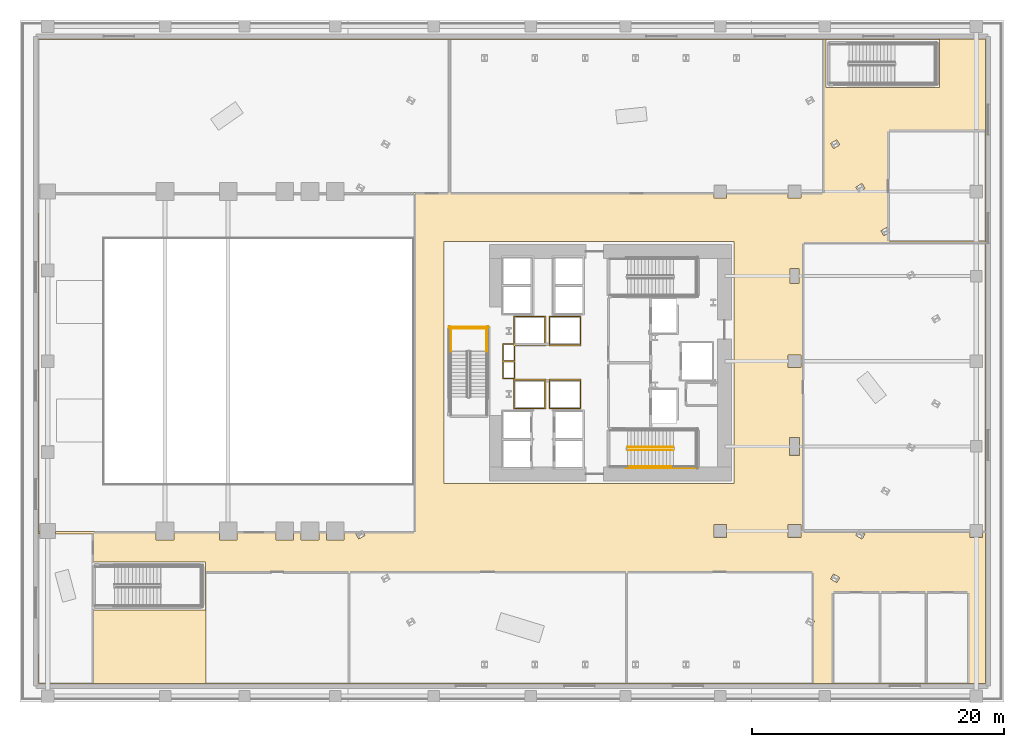
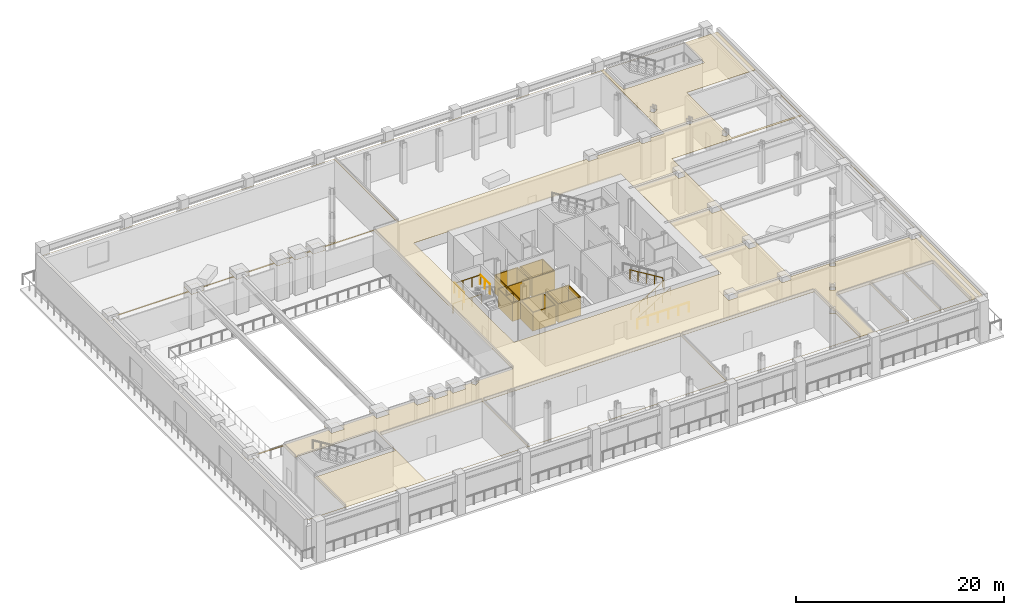
# One storey, part 13 of 19: 8 railings, 5 coverings.
"""IFC4 building model written with IfcOpenShell, lengths in metres."""

from ifc_helpers import new_model, si_unit, direction, frame, origin, origin_2d, place, context, subcontext, project, spatial, polyline, circle, outline, extrude, material, layer, layer_set, type_object, element, save


model = new_model("IFC4")

# Units and contexts
model_context = context("Model", 3, precision=1e-05, world=origin(), true_north=direction((0.0, 1.0)))
body_context = subcontext(model_context, "Body", "Model", "MODEL_VIEW")
ifc_project = project(units=[si_unit("LENGTHUNIT", "METRE"), si_unit("AREAUNIT", "SQUARE_METRE"), si_unit("VOLUMEUNIT", "CUBIC_METRE"), si_unit("PLANEANGLEUNIT", "RADIAN"), si_unit("MASSUNIT", "GRAM", prefix="KILO")], contexts=[model_context])

# Site, building, storey
site_placement = place(None, origin())
site = spatial("IfcSite", under=ifc_project, at=site_placement, CompositionType="ELEMENT")
building_placement = place(site_placement, origin())
building = spatial("IfcBuilding", under=site, at=building_placement, Name="Valkerne Bourse Tower", CompositionType="ELEMENT")
storey_placement = place(building_placement, frame((0.0, 0.0, 5.39990234375)))
storey = spatial("IfcBuildingStorey", under=building, at=storey_placement, Name="L01", CompositionType="ELEMENT", Elevation=5.39990234375)

# Coverings
ifc_material_1 = material(Name="Bronze Anodised Aluminium AA 6063-T6", Category="aluminium")
ifc_layer_1 = layer(ifc_material_1, 0.030029296875)
ifc_layer_set_1 = layer_set([ifc_layer_1], Name="Bronze Anodised Aluminium AA 6063-T6")
covering_type_1 = type_object("IfcCoveringType", Name="COV-CEIL-METAL", PredefinedType="CEILING", material=ifc_layer_set_1)
covering_1_placement = place(storey_placement, frame((0.0, 0.0, 4.210205078125)))
element("IfcCovering", 1, at=covering_1_placement, inside=storey, type_object=covering_type_1, Name="L01 Suspended Ceiling 13", PredefinedType="CEILING", context=body_context, shape_type="SweptSolid", body=[
    extrude(outline(polyline([(76.5458984375, 1.4541015625), (1.4541015625, 1.4541015625), (1.4541015625, 52.5458984375), (76.5458984375, 52.5458984375), (76.5458984375, 1.4541015625)]), holes=[polyline([(62.148681640625, 13.535888671875), (66.423583984375, 13.535888671875), (66.468017578125, 13.6015625), (66.481201171875, 13.607421875), (66.614013671875, 13.535888671875), (75.271728515625, 13.535888671875), (75.283935546875, 13.54833984375), (75.283935546875, 14.046142578125), (75.293701171875, 14.0625), (76.297119140625, 14.06591796875), (76.310791015625, 14.060302734375), (76.31591796875, 14.0498046875), (76.31689453125, 13.5439453125), (76.328857421875, 13.535888671875), (76.51220703125, 13.54052734375), (76.509521484375, 36.312255859375), (62.1376953125, 36.3095703125), (62.13623046875, 13.546142578125), (62.148681640625, 13.535888671875)]), polyline([(68.885986328125, 37.4140625), (68.98583984375, 37.231689453125), (68.978515625, 37.216552734375), (68.885986328125, 37.158203125), (68.88818359375, 36.539794921875), (76.51025390625, 36.538330078125), (76.51171875, 45.210205078125), (68.890380859375, 45.21240234375), (68.885986328125, 37.4140625)]), polyline([(71.896728515625, 1.493896484375), (71.90869140625, 1.486083984375), (75.10595703125, 1.48681640625), (75.114013671875, 1.498779296875), (75.11328125, 8.60595703125), (75.101318359375, 8.614013671875), (71.908203125, 8.614013671875), (71.89599609375, 8.601806640625), (71.896728515625, 1.493896484375)]), polyline([(68.247314453125, 1.492919921875), (68.2587890625, 1.486083984375), (71.757080078125, 1.4873046875), (71.763916015625, 1.498779296875), (71.7626953125, 8.60693359375), (71.751220703125, 8.614013671875), (68.2587890625, 8.614013671875), (68.246826171875, 8.60595703125), (68.247314453125, 1.492919921875)]), polyline([(64.4873046875, 1.492919921875), (64.498779296875, 1.486083984375), (68.10693359375, 1.4873046875), (68.114013671875, 1.498779296875), (68.11279296875, 8.60693359375), (68.10107421875, 8.614013671875), (64.498779296875, 8.614013671875), (64.4873046875, 8.60693359375), (64.4873046875, 1.492919921875)]), polyline([(54.9716796875, 40.365966796875), (54.98388671875, 40.37841796875), (54.98388671875, 40.946044921875), (54.993896484375, 40.96240234375), (55.99755859375, 40.966064453125), (56.00927734375, 40.9619140625), (56.015869140625, 40.949462890625), (56.01611328125, 40.37841796875), (56.027099609375, 40.365966796875), (60.87158203125, 40.365966796875), (60.884033203125, 40.37841796875), (60.884033203125, 40.946044921875), (60.893798828125, 40.96240234375), (61.897705078125, 40.966064453125), (61.9091796875, 40.9619140625), (61.916015625, 40.949462890625), (61.916015625, 40.378662109375), (61.925048828125, 40.366455078125), (63.60595703125, 40.36669921875), (63.614013671875, 40.37890625), (63.61328125, 52.506103515625), (63.601318359375, 52.513916015625), (34.14404296875, 52.51318359375), (34.135986328125, 52.501220703125), (34.140380859375, 40.36767578125), (54.9716796875, 40.365966796875)]), polyline([(62.806884765625, 1.4873046875), (62.81396484375, 1.498779296875), (62.81396484375, 6.02294921875), (62.79248046875, 6.03271484375), (62.76123046875, 5.982421875), (62.74169921875, 5.9794921875), (62.252685546875, 6.26171875), (62.243408203125, 6.2783203125), (62.479736328125, 6.68505859375), (62.49560546875, 6.683837890625), (62.7958984375, 6.510498046875), (62.81396484375, 6.52099609375), (62.812744140625, 10.20703125), (62.801025390625, 10.214111328125), (48.153076171875, 10.212890625), (48.14599609375, 10.201171875), (48.147705078125, 1.490478515625), (62.806884765625, 1.4873046875)]), polyline([(26.14599609375, 10.201416015625), (26.14599609375, 1.498779296875), (26.154052734375, 1.48681640625), (48.001220703125, 1.486083984375), (48.01318359375, 1.493896484375), (48.013916015625, 10.201171875), (48.006103515625, 10.213134765625), (26.155029296875, 10.213623046875), (26.14599609375, 10.201416015625)]), polyline([(1.572509765625, 40.365966796875), (1.583984375, 40.37744140625), (1.583984375, 41.046142578125), (1.59375, 41.0625), (2.797119140625, 41.06591796875), (2.810546875, 41.060546875), (2.81591796875, 41.047119140625), (2.81591796875, 40.37841796875), (2.8271484375, 40.365966796875), (10.772705078125, 40.365966796875), (10.783935546875, 40.37841796875), (10.783935546875, 41.14599609375), (10.793701171875, 41.16259765625), (12.197265625, 41.166015625), (12.21044921875, 41.160400390625), (12.216064453125, 41.147216796875), (12.216064453125, 40.37841796875), (12.228271484375, 40.365966796875), (15.773681640625, 40.3662109375), (15.783935546875, 40.378662109375), (15.783935546875, 41.14599609375), (15.793701171875, 41.16259765625), (17.197265625, 41.166015625), (17.21044921875, 41.160400390625), (17.216064453125, 41.147216796875), (17.216064453125, 40.37841796875), (17.228271484375, 40.365966796875), (20.265869140625, 40.3662109375), (20.27587890625, 40.378662109375), (20.27587890625, 41.14599609375), (20.285888671875, 41.16259765625), (21.689208984375, 41.166015625), (21.702392578125, 41.160400390625), (21.7080078125, 41.147216796875), (21.7080078125, 40.37841796875), (21.71923828125, 40.365966796875), (22.273193359375, 40.37060546875), (22.27490234375, 41.14599609375), (22.284912109375, 41.16259765625), (23.688232421875, 41.166015625), (23.701416015625, 41.160400390625), (23.70703125, 41.147216796875), (23.70703125, 40.37841796875), (23.71826171875, 40.365966796875), (24.270263671875, 40.37060546875), (24.27197265625, 41.14599609375), (24.28173828125, 41.16259765625), (25.685302734375, 41.166015625), (25.698486328125, 41.160400390625), (25.7041015625, 41.147216796875), (25.7041015625, 40.37841796875), (25.715087890625, 40.365966796875), (27.115966796875, 40.36767578125), (27.115234375, 40.39111328125), (26.61279296875, 40.6865234375), (26.614013671875, 40.702392578125), (26.838134765625, 41.09033203125), (26.854736328125, 41.099609375), (27.360107421875, 40.80615234375), (27.35888671875, 40.790283203125), (27.134033203125, 40.40087890625), (27.118408203125, 40.385986328125), (27.12841796875, 40.365966796875), (33.9560546875, 40.36669921875), (33.964111328125, 40.37890625), (33.963134765625, 52.506103515625), (33.951171875, 52.513916015625), (1.493896484375, 52.51318359375), (1.486083984375, 52.501220703125), (1.486083984375, 40.378662109375), (1.49609375, 40.3662109375), (1.572509765625, 40.365966796875)]), polyline([(1.59033203125, 39.8388671875), (1.583984375, 39.8505859375), (1.58349609375, 40.204833984375), (1.572509765625, 40.214111328125), (1.4951171875, 40.213623046875), (1.486083984375, 40.201416015625), (1.48974609375, 13.48828125), (1.572509765625, 13.486083984375), (1.583984375, 13.497314453125), (1.583984375, 14.14599609375), (1.59375, 14.16259765625), (2.797119140625, 14.166015625), (2.810546875, 14.160400390625), (2.81591796875, 14.147216796875), (2.81591796875, 13.49853515625), (2.8271484375, 13.486083984375), (10.772705078125, 13.486083984375), (10.783935546875, 13.49853515625), (10.783935546875, 14.24609375), (10.793701171875, 14.262451171875), (12.197265625, 14.26611328125), (12.21044921875, 14.260498046875), (12.216064453125, 14.247314453125), (12.216064453125, 13.498291015625), (12.228271484375, 13.486083984375), (15.773681640625, 13.486083984375), (15.783935546875, 13.49853515625), (15.783935546875, 14.24609375), (15.793701171875, 14.262451171875), (17.197265625, 14.26611328125), (17.21044921875, 14.260498046875), (17.216064453125, 14.247314453125), (17.216064453125, 13.49853515625), (17.227294921875, 13.486083984375), (20.265869140625, 13.486083984375), (20.27587890625, 13.49853515625), (20.27587890625, 14.24609375), (20.285888671875, 14.262451171875), (21.689208984375, 14.26611328125), (21.702392578125, 14.260498046875), (21.7080078125, 14.247314453125), (21.7080078125, 13.49853515625), (21.71923828125, 13.486083984375), (22.273193359375, 13.490478515625), (22.27490234375, 14.24609375), (22.284912109375, 14.262451171875), (23.688232421875, 14.26611328125), (23.701416015625, 14.260498046875), (23.70703125, 14.247314453125), (23.70703125, 13.49853515625), (23.71826171875, 13.486083984375), (24.270263671875, 13.490478515625), (24.27197265625, 14.24609375), (24.28173828125, 14.262451171875), (25.685302734375, 14.26611328125), (25.698486328125, 14.260498046875), (25.7041015625, 14.247314453125), (25.7041015625, 13.49853515625), (25.715087890625, 13.486083984375), (26.900390625, 13.486083984375), (27.11865234375, 13.60693359375), (27.133544921875, 13.599609375), (27.205078125, 13.486083984375), (31.26171875, 13.48974609375), (31.26025390625, 40.211669921875), (25.715087890625, 40.214111328125), (25.7041015625, 40.201416015625), (25.7041015625, 39.752685546875), (25.69140625, 39.7353515625), (24.290283203125, 39.73388671875), (24.27880859375, 39.73828125), (24.272216796875, 39.75048828125), (24.27197265625, 40.20166015625), (24.259521484375, 40.214111328125), (23.710693359375, 40.211669921875), (23.70703125, 39.752685546875), (23.6943359375, 39.7353515625), (22.29345703125, 39.73388671875), (22.28173828125, 39.73828125), (22.275146484375, 39.75048828125), (22.27490234375, 40.20166015625), (22.2626953125, 40.214111328125), (21.711669921875, 40.211669921875), (21.7080078125, 39.752685546875), (21.6953125, 39.7353515625), (20.29443359375, 39.73388671875), (20.28271484375, 39.73828125), (20.276123046875, 39.75048828125), (20.27587890625, 40.20166015625), (20.263671875, 40.214111328125), (17.226318359375, 40.2138671875), (17.216064453125, 40.201416015625), (17.216064453125, 39.752685546875), (17.203369140625, 39.7353515625), (15.802490234375, 39.73388671875), (15.790771484375, 39.73828125), (15.7841796875, 39.75048828125), (15.783935546875, 40.20166015625), (15.771728515625, 40.214111328125), (12.227294921875, 40.214111328125), (12.216064453125, 40.201416015625), (12.216064453125, 39.752685546875), (12.203369140625, 39.7353515625), (10.802490234375, 39.73388671875), (10.790771484375, 39.73828125), (10.7841796875, 39.75048828125), (10.783935546875, 40.20166015625), (10.771728515625, 40.214111328125), (2.828369140625, 40.214111328125), (2.81591796875, 40.20166015625), (2.81591796875, 39.8505859375), (2.8037109375, 39.835205078125), (1.59033203125, 39.8388671875)]), polyline([(14.73974609375, 1.48828125), (26.01171875, 1.48974609375), (26.01025390625, 10.211669921875), (14.73974609375, 10.211669921875), (14.73974609375, 1.48828125)]), polyline([(5.73388671875, 1.498291015625), (5.73388671875, 7.300048828125), (14.699951171875, 7.300048828125), (14.699951171875, 11.10009765625), (5.733642578125, 11.10009765625), (5.733642578125, 13.304931640625), (5.72119140625, 13.31396484375), (2.8271484375, 13.31396484375), (2.81591796875, 13.301513671875), (2.81591796875, 12.950439453125), (2.8037109375, 12.935302734375), (1.602783203125, 12.93408203125), (1.589111328125, 12.939697265625), (1.583984375, 12.9501953125), (1.58349609375, 13.3046875), (1.572509765625, 13.31396484375), (1.4951171875, 13.313720703125), (1.486083984375, 13.30126953125), (1.486328125, 1.4951171875), (1.498779296875, 1.486083984375), (5.7216796875, 1.486083984375), (5.73388671875, 1.498291015625)]), polyline([(27.12060546875, 13.59814453125), (26.62109375, 13.309814453125), (26.852294921875, 12.908935546875), (27.35205078125, 13.197509765625), (27.12060546875, 13.59814453125)]), polyline([(2.803955078125, 14.154052734375), (1.595947265625, 14.154052734375), (1.595947265625, 12.946044921875), (2.803955078125, 12.946044921875), (2.803955078125, 14.154052734375)]), polyline([(24.283935546875, 14.25390625), (24.283935546875, 12.845947265625), (25.69189453125, 12.845947265625), (25.69189453125, 14.25390625), (24.283935546875, 14.25390625)]), polyline([(23.695068359375, 14.25390625), (22.287109375, 14.25390625), (22.287109375, 12.845947265625), (23.695068359375, 12.845947265625), (23.695068359375, 14.25390625)]), polyline([(21.696044921875, 14.25390625), (20.2880859375, 14.25390625), (20.2880859375, 12.845947265625), (21.696044921875, 12.845947265625), (21.696044921875, 14.25390625)]), polyline([(10.7958984375, 14.25390625), (10.7958984375, 12.845947265625), (12.2041015625, 12.845947265625), (12.2041015625, 14.25390625), (10.7958984375, 14.25390625)]), polyline([(15.7958984375, 14.25390625), (15.7958984375, 12.845947265625), (17.2041015625, 12.845947265625), (17.2041015625, 14.25390625), (15.7958984375, 14.25390625)]), polyline([(17.2041015625, 41.154052734375), (15.7958984375, 41.154052734375), (15.7958984375, 39.74609375), (17.2041015625, 39.74609375), (17.2041015625, 41.154052734375)]), polyline([(10.7958984375, 41.154052734375), (10.7958984375, 39.74609375), (12.2041015625, 39.74609375), (12.2041015625, 41.154052734375), (10.7958984375, 41.154052734375)]), polyline([(21.696044921875, 41.154052734375), (20.2880859375, 41.154052734375), (20.2880859375, 39.74609375), (21.696044921875, 39.74609375), (21.696044921875, 41.154052734375)]), polyline([(23.695068359375, 41.154052734375), (22.287109375, 41.154052734375), (22.287109375, 39.74609375), (23.695068359375, 39.74609375), (23.695068359375, 41.154052734375)]), polyline([(24.283935546875, 41.154052734375), (24.283935546875, 39.74609375), (25.69189453125, 39.74609375), (25.69189453125, 41.154052734375), (24.283935546875, 41.154052734375)]), polyline([(1.595947265625, 41.053955078125), (1.595947265625, 39.845947265625), (2.803955078125, 39.845947265625), (2.803955078125, 41.053955078125), (1.595947265625, 41.053955078125)]), polyline([(26.62109375, 40.690185546875), (27.12060546875, 40.40185546875), (27.35205078125, 40.802490234375), (26.852294921875, 41.091064453125), (26.62109375, 40.690185546875)]), polyline([(56.00390625, 14.053955078125), (54.99609375, 14.053955078125), (54.99609375, 13.0458984375), (56.00390625, 13.0458984375), (56.00390625, 14.053955078125)]), polyline([(33.60009765625, 17.300048828125), (56.60009765625, 17.300048828125), (56.60009765625, 36.5), (33.60009765625, 36.5), (33.60009765625, 17.300048828125)]), polyline([(56.00390625, 40.9541015625), (54.99609375, 40.9541015625), (54.99609375, 39.946044921875), (56.00390625, 39.946044921875), (56.00390625, 40.9541015625)]), polyline([(62.251953125, 6.276123046875), (62.751708984375, 5.98779296875), (62.98291015625, 6.388427734375), (62.4833984375, 6.677001953125), (62.251953125, 6.276123046875)]), polyline([(64.481201171875, 10.137451171875), (64.25, 9.73681640625), (64.749755859375, 9.4482421875), (64.98095703125, 9.84912109375), (64.481201171875, 10.137451171875)]), polyline([(66.479248046875, 13.59814453125), (66.248046875, 13.197509765625), (66.747802734375, 12.908935546875), (66.97900390625, 13.309814453125), (66.479248046875, 13.59814453125)]), polyline([(60.89599609375, 14.053955078125), (60.89599609375, 13.0458984375), (61.904052734375, 13.0458984375), (61.904052734375, 14.053955078125), (60.89599609375, 14.053955078125)]), polyline([(75.2958984375, 14.053955078125), (75.2958984375, 13.0458984375), (76.303955078125, 13.0458984375), (76.303955078125, 14.053955078125), (75.2958984375, 14.053955078125)]), polyline([(60.99609375, 20.9541015625), (60.99609375, 19.5458984375), (61.803955078125, 19.5458984375), (61.803955078125, 20.9541015625), (60.99609375, 20.9541015625)]), polyline([(60.89599609375, 27.50390625), (60.89599609375, 26.49609375), (61.904052734375, 26.49609375), (61.904052734375, 27.50390625), (60.89599609375, 27.50390625)]), polyline([(61.0458984375, 34.35400390625), (61.0458984375, 33.14599609375), (61.75390625, 33.14599609375), (61.75390625, 34.35400390625), (61.0458984375, 34.35400390625)]), polyline([(68.24609375, 37.341796875), (68.477294921875, 36.941162109375), (68.97705078125, 37.229736328125), (68.74560546875, 37.63037109375), (68.24609375, 37.341796875)]), polyline([(61.904052734375, 40.9541015625), (60.89599609375, 40.9541015625), (60.89599609375, 39.946044921875), (61.904052734375, 39.946044921875), (61.904052734375, 40.9541015625)]), polyline([(66.248046875, 40.802490234375), (66.479248046875, 40.40185546875), (66.97900390625, 40.690185546875), (66.747802734375, 41.091064453125), (66.248046875, 40.802490234375)]), polyline([(64.749755859375, 44.5517578125), (64.25, 44.26318359375), (64.481201171875, 43.862548828125), (64.98095703125, 44.15087890625), (64.749755859375, 44.5517578125)]), polyline([(63.89990234375, 48.699951171875), (72.89990234375, 48.699951171875), (72.89990234375, 52.5), (63.89990234375, 52.5), (63.89990234375, 48.699951171875)])]), origin(), (0.0, 0.0, 1.0), 0.02490234375),
])
ifc_material_2 = material(Name="Gypsum Shaftwall Liner Board", Category="gypsum")
ifc_layer_2 = layer(ifc_material_2, 0.080078125)
ifc_layer_set_2 = layer_set([ifc_layer_2], Name="Gypsum Shaftwall Liner Board")
covering_type_2 = type_object("IfcCoveringType", Name="COV-SHF-CLAD", PredefinedType="CLADDING", material=ifc_layer_set_2)
covering_2_placement = place(storey_placement, origin())
element("IfcCovering", 2, at=covering_2_placement, inside=storey, type_object=covering_type_2, Name="L01 Hoistway & Riser Shaftwall Liner 02", PredefinedType="CLADDING", context=body_context, shape_type="SweptSolid", body=[
    extrude(outline(polyline([(41.679931640625, 23.219970703125), (39.1201171875, 23.219970703125), (39.1201171875, 25.580078125), (41.679931640625, 25.580078125), (41.679931640625, 23.219970703125)]), holes=[polyline([(39.2099609375, 25.489990234375), (39.2099609375, 23.31005859375), (41.590087890625, 23.31005859375), (41.590087890625, 25.489990234375), (39.2099609375, 25.489990234375)])]), origin(), (0.0, 0.0, 1.0), 2.18017578125),
])
covering_3_placement = place(storey_placement, origin())
element("IfcCovering", 3, at=covering_3_placement, inside=storey, type_object=covering_type_2, Name="L01 Hoistway & Riser Shaftwall Liner 03", PredefinedType="CLADDING", context=body_context, shape_type="SweptSolid", body=[
    extrude(outline(polyline([(44.47998046875, 23.219970703125), (41.919921875, 23.219970703125), (41.919921875, 25.580078125), (44.47998046875, 25.580078125), (44.47998046875, 23.219970703125)]), holes=[polyline([(42.010009765625, 25.489990234375), (42.010009765625, 23.31005859375), (44.389892578125, 23.31005859375), (44.389892578125, 25.489990234375), (42.010009765625, 25.489990234375)])]), origin(), (0.0, 0.0, 1.0), 2.18017578125),
])
covering_4_placement = place(storey_placement, origin())
element("IfcCovering", 4, at=covering_4_placement, inside=storey, type_object=covering_type_2, Name="L01 Hoistway & Riser Shaftwall Liner 04", PredefinedType="CLADDING", context=body_context, shape_type="SweptSolid", body=[
    extrude(outline(polyline([(38.239990234375, 28.409912109375), (39.1201171875, 28.409912109375), (39.1201171875, 30.580078125), (41.679931640625, 30.580078125), (41.679931640625, 28.219970703125), (39.239990234375, 28.219970703125), (39.239990234375, 27.0400390625), (39.239990234375, 26.9599609375), (39.239990234375, 25.590087890625), (38.239990234375, 25.590087890625), (38.239990234375, 26.9599609375), (38.239990234375, 27.0400390625), (38.239990234375, 28.409912109375)]), holes=[polyline([(39.2099609375, 30.489990234375), (39.2099609375, 28.409912109375), (39.239990234375, 28.409912109375), (39.239990234375, 28.31005859375), (41.590087890625, 28.31005859375), (41.590087890625, 30.489990234375), (39.2099609375, 30.489990234375)]), polyline([(38.330078125, 26.949951171875), (38.330078125, 25.679931640625), (39.14990234375, 25.679931640625), (39.14990234375, 26.949951171875), (38.330078125, 26.949951171875)]), polyline([(39.1201171875, 28.219970703125), (39.1201171875, 28.320068359375), (38.330078125, 28.320068359375), (38.330078125, 27.050048828125), (39.14990234375, 27.050048828125), (39.14990234375, 28.219970703125), (39.1201171875, 28.219970703125)])]), origin(), (0.0, 0.0, 1.0), 2.18017578125),
])
covering_5_placement = place(storey_placement, origin())
element("IfcCovering", 5, at=covering_5_placement, inside=storey, type_object=covering_type_2, Name="L01 Hoistway & Riser Shaftwall Liner 09", PredefinedType="CLADDING", context=body_context, shape_type="SweptSolid", body=[
    extrude(outline(polyline([(44.47998046875, 28.219970703125), (41.919921875, 28.219970703125), (41.919921875, 30.580078125), (44.47998046875, 30.580078125), (44.47998046875, 28.219970703125)]), holes=[polyline([(42.010009765625, 30.489990234375), (42.010009765625, 28.31005859375), (44.389892578125, 28.31005859375), (44.389892578125, 30.489990234375), (42.010009765625, 30.489990234375)])]), origin(), (0.0, 0.0, 1.0), 2.18017578125),
])

# Railings
ifc_material_3 = material(Name="Galvanised Painted Steel", Category="steel")
railing_type_1 = type_object("IfcRailingType", Name="RLG-ST-GUARD-1120", PredefinedType="GUARDRAIL", material=ifc_material_3)
railing_1_placement = place(storey_placement, frame((48.14990234375, 19.949951171875, 0.171630859375)))
element("IfcRailing", 6, at=railing_1_placement, inside=storey, type_object=railing_type_1, Name="L01 ST-1 stair guard 1", PredefinedType="GUARDRAIL", context=body_context, shape_type="SweptSolid", body=[
    extrude(circle(Radius=0.02392578125, at=origin_2d()), frame((0.0, 0.0, 1.09619140625), z_axis=(0.852865859571, 0.0, 0.52213008492), x_axis=(0.0, 1.0, 0.0)), (0.0, 0.0, 1.0), 4.26806640625),
    extrude(circle(Radius=0.02099609375, at=origin_2d()), origin(), (0.0, 0.0, 1.0), 1.072021484375),
    extrude(circle(Radius=0.02099609375, at=origin_2d()), frame((0.91015625, 0.0, 0.55712890625)), (0.0, 0.0, 1.0), 1.072021484375),
    extrude(circle(Radius=0.02099609375, at=origin_2d()), frame((1.820068359375, 0.0, 1.1142578125)), (0.0, 0.0, 1.0), 1.072021484375),
    extrude(circle(Radius=0.02099609375, at=origin_2d()), frame((2.72998046875, 0.0, 1.67138671875)), (0.0, 0.0, 1.0), 1.072021484375),
    extrude(circle(Radius=0.02099609375, at=origin_2d()), frame((3.64013671875, 0.0, 2.228515625)), (0.0, 0.0, 1.0), 1.072021484375),
])
railing_2_placement = place(storey_placement, frame((51.7900390625, 20.199951171875, 2.571533203125)))
element("IfcRailing", 7, at=railing_2_placement, inside=storey, type_object=railing_type_1, Name="L01 ST-1 stair guard 6", PredefinedType="GUARDRAIL", context=body_context, shape_type="SweptSolid", body=[
    extrude(circle(Radius=0.02392578125, at=origin_2d()), frame((0.0, 0.0, 1.09619140625), z_axis=(-0.852865859571, 0.0, 0.52213008492), x_axis=(0.0, -1.0, 0.0)), (0.0, 0.0, 1.0), 4.26806640625),
    extrude(circle(Radius=0.02099609375, at=origin_2d()), origin(), (0.0, 0.0, 1.0), 1.072021484375),
    extrude(circle(Radius=0.02099609375, at=origin_2d()), frame((-0.91015625, 0.0, 0.55712890625)), (0.0, 0.0, 1.0), 1.072021484375),
    extrude(circle(Radius=0.02099609375, at=origin_2d()), frame((-1.820068359375, 0.0, 1.1142578125)), (0.0, 0.0, 1.0), 1.072021484375),
    extrude(circle(Radius=0.02099609375, at=origin_2d()), frame((-2.72998046875, 0.0, 1.67138671875)), (0.0, 0.0, 1.0), 1.072021484375),
    extrude(circle(Radius=0.02099609375, at=origin_2d()), frame((-3.64013671875, 0.0, 2.228515625)), (0.0, 0.0, 1.0), 1.072021484375),
])
railing_3_placement = place(storey_placement, frame((48.050048828125, 18.550048828125, 0.0)))
element("IfcRailing", 8, at=railing_3_placement, inside=storey, type_object=railing_type_1, Name="L01 ST-1 stair guard 10", PredefinedType="GUARDRAIL", context=body_context, shape_type="SweptSolid", body=[
    extrude(circle(Radius=0.02392578125, at=origin_2d()), frame((0.0, 0.0, 1.09619140625), z_axis=(1.0, 0.0, 0.0), x_axis=(0.0, 1.0, 0.0)), (0.0, 0.0, 1.0), 5.699951171875),
    extrude(circle(Radius=0.02099609375, at=origin_2d()), origin(), (0.0, 0.0, 1.0), 1.072021484375),
    extrude(circle(Radius=0.02099609375, at=origin_2d()), frame((1.139892578125, 0.0, 0.0)), (0.0, 0.0, 1.0), 1.072021484375),
    extrude(circle(Radius=0.02099609375, at=origin_2d()), frame((2.280029296875, 0.0, 0.0)), (0.0, 0.0, 1.0), 1.072021484375),
    extrude(circle(Radius=0.02099609375, at=origin_2d()), frame((3.419921875, 0.0, 0.0)), (0.0, 0.0, 1.0), 1.072021484375),
    extrude(circle(Radius=0.02099609375, at=origin_2d()), frame((4.56005859375, 0.0, 0.0)), (0.0, 0.0, 1.0), 1.072021484375),
    extrude(circle(Radius=0.02099609375, at=origin_2d()), frame((5.699951171875, 0.0, 0.0)), (0.0, 0.0, 1.0), 1.072021484375),
])
for number, where, name in (
    (9, (37.0, 27.7900390625, 2.400146484375), "L01 ST-3 stair guard 3"),
    (10, (34.14990234375, 27.7900390625, 2.400146484375), "L01 ST-3 stair guard 4"),
):
    element("IfcRailing", number, at=place(storey_placement, frame(where)), inside=storey, type_object=railing_type_1, Name=name, PredefinedType="GUARDRAIL", context=body_context, shape_type="SweptSolid", body=[
        extrude(circle(Radius=0.02392578125, at=origin_2d()), frame((0.0, 0.0, 1.09619140625), z_axis=(0.0, 1.0, 0.0), x_axis=(-1.0, 0.0, 0.0)), (0.0, 0.0, 1.0), 1.85986328125),
        extrude(circle(Radius=0.02099609375, at=origin_2d()), origin(), (0.0, 0.0, 1.0), 1.072021484375),
        extrude(circle(Radius=0.02099609375, at=origin_2d()), frame((0.0, 0.929931640625, 0.0)), (0.0, 0.0, 1.0), 1.072021484375),
        extrude(circle(Radius=0.02099609375, at=origin_2d()), frame((0.0, 1.85986328125, 0.0)), (0.0, 0.0, 1.0), 1.072021484375),
    ])
railing_4_placement = place(storey_placement, frame((37.050048828125, 29.60009765625, 2.400146484375)))
element("IfcRailing", 11, at=railing_4_placement, inside=storey, type_object=railing_type_1, Name="L01 ST-3 stair guard 5", PredefinedType="GUARDRAIL", context=body_context, shape_type="SweptSolid", body=[
    extrude(circle(Radius=0.02392578125, at=origin_2d()), frame((0.0, 0.0, 1.09619140625), z_axis=(-1.0, 0.0, 0.0), x_axis=(0.0, -1.0, 0.0)), (0.0, 0.0, 1.0), 2.949951171875),
    extrude(circle(Radius=0.02099609375, at=origin_2d()), origin(), (0.0, 0.0, 1.0), 1.072021484375),
    extrude(circle(Radius=0.02099609375, at=origin_2d()), frame((-0.9833984375, 0.0, 0.0)), (0.0, 0.0, 1.0), 1.072021484375),
    extrude(circle(Radius=0.02099609375, at=origin_2d()), frame((-1.966552734375, 0.0, 0.0)), (0.0, 0.0, 1.0), 1.072021484375),
    extrude(circle(Radius=0.02099609375, at=origin_2d()), frame((-2.949951171875, 0.0, 0.0)), (0.0, 0.0, 1.0), 1.072021484375),
])
railing_5_placement = place(storey_placement, frame((37.14990234375, 29.699951171875, 0.0)))
element("IfcRailing", 12, at=railing_5_placement, inside=storey, type_object=railing_type_1, Name="L01 ST-3 stair guard 12", PredefinedType="GUARDRAIL", context=body_context, shape_type="SweptSolid", body=[
    extrude(circle(Radius=0.02392578125, at=origin_2d()), frame((0.0, 0.0, 1.09619140625), z_axis=(-1.0, 0.0, 0.0), x_axis=(0.0, -1.0, 0.0)), (0.0, 0.0, 1.0), 3.14990234375),
    extrude(circle(Radius=0.02099609375, at=origin_2d()), origin(), (0.0, 0.0, 1.0), 1.072021484375),
    extrude(circle(Radius=0.02099609375, at=origin_2d()), frame((-1.050048828125, 0.0, 0.0)), (0.0, 0.0, 1.0), 1.072021484375),
    extrude(circle(Radius=0.02099609375, at=origin_2d()), frame((-2.099853515625, 0.0, 0.0)), (0.0, 0.0, 1.0), 1.072021484375),
    extrude(circle(Radius=0.02099609375, at=origin_2d()), frame((-3.14990234375, 0.0, 0.0)), (0.0, 0.0, 1.0), 1.072021484375),
])
ifc_material_4 = material(Name="Stainless Steel AISI 316", Category="steel")
railing_type_2 = type_object("IfcRailingType", Name="RLG-ST-HANDRAIL-900", PredefinedType="HANDRAIL", material=ifc_material_4)
railing_6_placement = place(storey_placement, frame((48.14990234375, 18.64990234375, 0.343017578125)))
element("IfcRailing", 13, at=railing_6_placement, inside=storey, type_object=railing_type_2, Name="L01 ST-1 stair handrail 1", PredefinedType="HANDRAIL", context=body_context, shape_type="SweptSolid", body=[
    extrude(circle(Radius=0.02392578125, at=origin_2d()), frame((0.0, 0.0, 0.8759765625), z_axis=(0.852865859571, 0.0, 0.52213008492), x_axis=(0.0, 1.0, 0.0)), (0.0, 0.0, 1.0), 4.26806640625),
    extrude(circle(Radius=0.02099609375, at=origin_2d()), origin(), (0.0, 0.0, 1.0), 0.851806640625),
    extrude(circle(Radius=0.02099609375, at=origin_2d()), frame((0.91015625, 0.0, 0.55712890625)), (0.0, 0.0, 1.0), 0.851806640625),
    extrude(circle(Radius=0.02099609375, at=origin_2d()), frame((1.820068359375, 0.0, 1.1142578125)), (0.0, 0.0, 1.0), 0.851806640625),
    extrude(circle(Radius=0.02099609375, at=origin_2d()), frame((2.72998046875, 0.0, 1.67138671875)), (0.0, 0.0, 1.0), 0.851806640625),
    extrude(circle(Radius=0.02099609375, at=origin_2d()), frame((3.64013671875, 0.0, 2.228515625)), (0.0, 0.0, 1.0), 0.851806640625),
])

save(model, "model.ifc")
